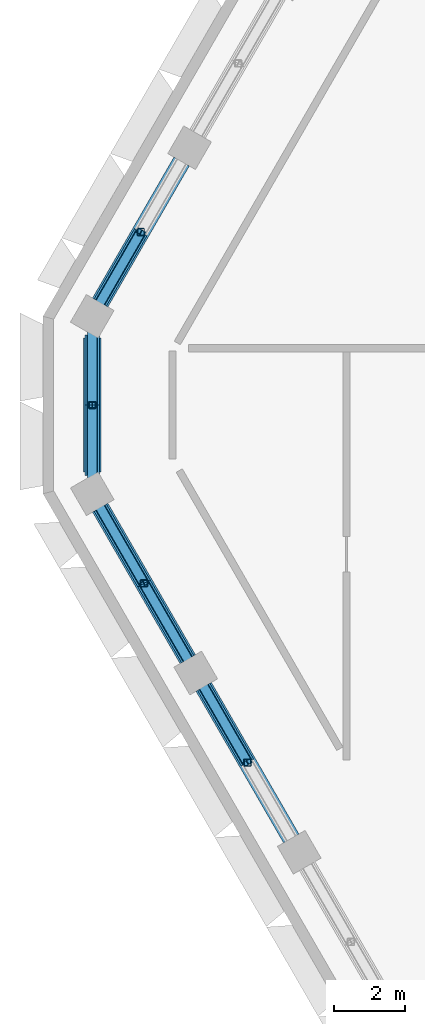
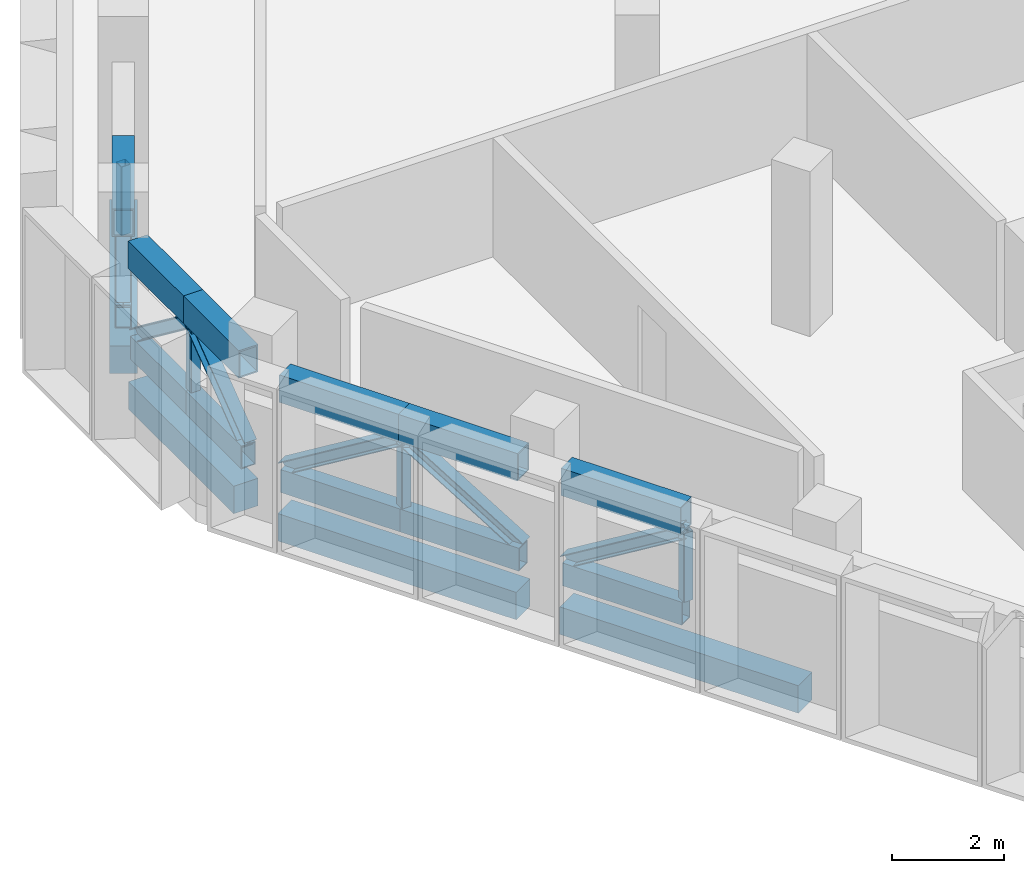
# One storey, part 4 of 22: 22 members, 4 beams.
"""IFC4 building model written with IfcOpenShell, lengths in metres."""

from ifc_helpers import new_model, si_unit, direction, frame, origin, origin_2d, place, context, subcontext, project, spatial, rectangle, hollow_rectangle, i_section, extrude, material, material_profile, profile_set, type_object, element, save


model = new_model("IFC4")

# Units and contexts
model_context = context("Model", 3, precision=1e-05, world=origin(), true_north=direction((0.0, 1.0)))
body_context = subcontext(model_context, "Body", "Model", "MODEL_VIEW")
ifc_project = project(units=[si_unit("LENGTHUNIT", "METRE"), si_unit("AREAUNIT", "SQUARE_METRE"), si_unit("VOLUMEUNIT", "CUBIC_METRE"), si_unit("PLANEANGLEUNIT", "RADIAN"), si_unit("MASSUNIT", "GRAM", prefix="KILO")], contexts=[model_context])

# Site, building, storey
site_placement = place(None, origin())
site = spatial("IfcSite", under=ifc_project, at=site_placement, CompositionType="ELEMENT")
building_placement = place(site_placement, origin())
building = spatial("IfcBuilding", under=site, at=building_placement, Name="Beryl Residences", CompositionType="ELEMENT")
storey_placement = place(building_placement, frame((0.0, 0.0, 153.60009765625)))
storey = spatial("IfcBuildingStorey", under=building, at=storey_placement, Name="L47", CompositionType="ELEMENT", Elevation=153.60009765625)

# Members
ifc_material_1 = material(Name="Steel S355", Category="steel")
ifc_material_profile_1 = material_profile(ifc_material_1, hollow_rectangle(XDim=0.300048828125, YDim=0.5, WallThickness=0.02001953125, at=origin_2d()))
ifc_profile_set_1 = profile_set([ifc_material_profile_1], Name="Steel S355")
member_type_1 = type_object("IfcMemberType", Name="BB3 belt truss bottom chord WB 500x300x20", PredefinedType="CHORD", material=ifc_profile_set_1)
member_1_placement = place(storey_placement, frame((-25.591064453125, 5.27490234375, 0.25), z_axis=(-0.500330826558, -0.865834316712, 0.0), x_axis=(0.865834316712, -0.500330826558, 0.0)))
element("IfcMember", 1, at=member_1_placement, inside=storey, type_object=member_type_1, Name="Belt truss BB3-NW-3b L47", PredefinedType="CHORD", context=body_context, shape_type="SweptSolid", body=[
    extrude(hollow_rectangle(XDim=0.300048828125, YDim=0.5, WallThickness=0.02001953125, at=origin_2d()), origin(), (0.0, 0.0, 1.0), 2.29248046875),
])
for number, where, z_axis, x_axis, name in (
    (2, (-26.962890625, 2.3798828125, 0.25), (0.000493218189, -0.999999878368, 0.0), (0.999999878368, 0.000493218189, 0.0), "Belt truss BB3-NW-4a L47"),
    (3, (-26.9619140625, 0.39990234375, 0.25), (0.0, -1.0, 0.0), (1.0, 0.0, 0.0), "Belt truss BB3-NW-4b L47"),
):
    element("IfcMember", number, at=place(storey_placement, frame(where, z_axis=z_axis, x_axis=x_axis)), inside=storey, type_object=member_type_1, Name=name, PredefinedType="CHORD", context=body_context, shape_type="SweptSolid", body=[
        extrude(hollow_rectangle(XDim=0.300048828125, YDim=0.5, WallThickness=0.02001953125, at=origin_2d()), origin(), (0.0, 0.0, 1.0), 1.97998046875),
    ])
member_2_placement = place(storey_placement, frame((-26.737060546875, -2.489990234375, 0.25), z_axis=(0.49985677305, -0.866108080112, 0.0), x_axis=(0.866108080112, 0.49985677305, 0.0)))
element("IfcMember", 4, at=member_2_placement, inside=storey, type_object=member_type_1, Name="Belt truss BB3-SW-0a L47", PredefinedType="CHORD", context=body_context, shape_type="SweptSolid", body=[
    extrude(hollow_rectangle(XDim=0.300048828125, YDim=0.5, WallThickness=0.02001953125, at=origin_2d()), origin(), (0.0, 0.0, 1.0), 2.465087890625),
])
member_3_placement = place(storey_placement, frame((-25.5048828125, -4.625, 0.25), z_axis=(0.500251191518, -0.865880329714, 0.0), x_axis=(0.865880329714, 0.500251191518, 0.0)))
element("IfcMember", 5, at=member_3_placement, inside=storey, type_object=member_type_1, Name="Belt truss BB3-SW-0b L47", PredefinedType="CHORD", context=body_context, shape_type="SweptSolid", body=[
    extrude(hollow_rectangle(XDim=0.300048828125, YDim=0.5, WallThickness=0.02001953125, at=origin_2d()), origin(), (0.0, 0.0, 1.0), 2.464599609375),
])
member_4_placement = place(storey_placement, frame((-23.822021484375, -7.5390625, 0.25), z_axis=(0.500079606793, -0.865979437902, 0.0), x_axis=(0.865979437902, 0.500079606793, 0.0)))
element("IfcMember", 6, at=member_4_placement, inside=storey, type_object=member_type_1, Name="Belt truss BB3-SW-1a L47", PredefinedType="CHORD", context=body_context, shape_type="SweptSolid", body=[
    extrude(hollow_rectangle(XDim=0.300048828125, YDim=0.5, WallThickness=0.02001953125, at=origin_2d()), origin(), (0.0, 0.0, 1.0), 2.46533203125),
])
ifc_material_2 = material(Name="Steel S355", Category="steel")
ifc_material_profile_2 = material_profile(ifc_material_2, i_section(OverallWidth=0.256103515625, OverallDepth=0.260009765625, WebThickness=0.010498046875, FlangeThickness=0.017333984375, FilletRadius=0.013916015625, at=origin_2d()))
ifc_profile_set_2 = profile_set([ifc_material_profile_2], Name="Steel S355")
member_type_2 = type_object("IfcMemberType", Name="BD3 belt truss diagonal 250UC90", PredefinedType="BRACE", material=ifc_profile_set_2)
member_5_placement = place(storey_placement, frame((-26.738037109375, 3.2900390625, 0.5), z_axis=(0.418669288504, 0.724517095687, 0.547531738733), x_axis=(-0.865834316712, 0.500330826558, 0.0)))
element("IfcMember", 7, at=member_5_placement, inside=storey, type_object=member_type_2, Name="Belt truss BD3-NW-3b L47", PredefinedType="BRACE", context=body_context, shape_type="SweptSolid", body=[
    extrude(i_section(OverallWidth=0.256103515625, OverallDepth=0.260009765625, WebThickness=0.010498046875, FlangeThickness=0.017333984375, FilletRadius=0.013916015625, at=origin_2d()), origin(), (0.0, 0.0, 1.0), 2.739501953125),
])
for number, where, z_axis, x_axis, name in (
    (8, (-26.962890625, 2.3798828125, 0.5), (0.000393138949, -0.79708921943, 0.603861425916), (0.999999878368, 0.000493218189, 0.0), "Belt truss BD3-NW-4a L47"),
    (9, (-26.9619140625, -1.580078125, 0.5), (0.0, 0.797089281029, 0.603861472582), (-1.0, 0.0, 0.0), "Belt truss BD3-NW-4b L47"),
):
    element("IfcMember", number, at=place(storey_placement, frame(where, z_axis=z_axis, x_axis=x_axis)), inside=storey, type_object=member_type_2, Name=name, PredefinedType="BRACE", context=body_context, shape_type="SweptSolid", body=[
        extrude(i_section(OverallWidth=0.256103515625, OverallDepth=0.260009765625, WebThickness=0.010498046875, FlangeThickness=0.017333984375, FilletRadius=0.013916015625, at=origin_2d()), origin(), (0.0, 0.0, 1.0), 2.484130859375),
    ])
member_6_placement = place(storey_placement, frame((-26.737060546875, -2.489990234375, 0.5), z_axis=(0.427013264514, -0.739891222147, 0.51982752074), x_axis=(0.866108080112, 0.49985677305, 0.0)))
element("IfcMember", 10, at=member_6_placement, inside=storey, type_object=member_type_2, Name="Belt truss BD3-SW-0a L47", PredefinedType="BRACE", context=body_context, shape_type="SweptSolid", body=[
    extrude(i_section(OverallWidth=0.256103515625, OverallDepth=0.260009765625, WebThickness=0.010498046875, FlangeThickness=0.017333984375, FilletRadius=0.013916015625, at=origin_2d()), origin(), (0.0, 0.0, 1.0), 2.885498046875),
])
member_7_placement = place(storey_placement, frame((-24.27197265625, -6.759033203125, 0.5), z_axis=(-0.427327739797, 0.739657776943, 0.519901313527), x_axis=(-0.865880329714, -0.500251191518, 0.0)))
element("IfcMember", 11, at=member_7_placement, inside=storey, type_object=member_type_2, Name="Belt truss BD3-SW-0b L47", PredefinedType="BRACE", context=body_context, shape_type="SweptSolid", body=[
    extrude(i_section(OverallWidth=0.256103515625, OverallDepth=0.260009765625, WebThickness=0.010498046875, FlangeThickness=0.017333984375, FilletRadius=0.013916015625, at=origin_2d()), origin(), (0.0, 0.0, 1.0), 2.88525390625),
])
member_8_placement = place(storey_placement, frame((-23.822021484375, -7.5390625, 0.5), z_axis=(0.427220770811, -0.739811017969, 0.519771171458), x_axis=(0.865979437902, 0.500079606793, 0.0)))
element("IfcMember", 12, at=member_8_placement, inside=storey, type_object=member_type_2, Name="Belt truss BD3-SW-1a L47", PredefinedType="BRACE", context=body_context, shape_type="SweptSolid", body=[
    extrude(i_section(OverallWidth=0.256103515625, OverallDepth=0.260009765625, WebThickness=0.010498046875, FlangeThickness=0.017333984375, FilletRadius=0.013916015625, at=origin_2d()), origin(), (0.0, 0.0, 1.0), 2.885986328125),
])
ifc_material_3 = material(Name="Steel S355", Category="steel")
ifc_material_profile_3 = material_profile(ifc_material_3, hollow_rectangle(XDim=0.199951171875, YDim=0.199951171875, WallThickness=0.009033203125, InnerFilletRadius=0.009033203125, OuterFilletRadius=0.01806640625, at=origin_2d()))
ifc_profile_set_3 = profile_set([ifc_material_profile_3], Name="Steel S355")
member_type_3 = type_object("IfcMemberType", Name="BQ3 belt truss post SHS 200x200x9", PredefinedType="POST", material=ifc_profile_set_3)
for number, where, z_axis, x_axis, name in (
    (13, (-25.591064453125, 5.27490234375, 0.5), (0.0, 0.0, 1.0), (1.0, 0.0, 0.0), "Belt truss BQ3-NW-3 L47"),
    (14, (-26.9619140625, 0.39990234375, 0.5), (0.0, 0.0, 1.0), (1.0, 0.0, 0.0), "Belt truss BQ3-NW-4 L47"),
    (15, (-25.5048828125, -4.625, 0.5), (0.0, 0.0, 1.0), (1.0, 0.0, 0.0), "Belt truss BQ3-SW-0 L47"),
    (16, (-22.589111328125, -9.674072265625, 0.5), (0.0, 0.0, 1.0), (1.0, 0.0, 0.0), "Belt truss BQ3-SW-1 L47"),
):
    element("IfcMember", number, at=place(storey_placement, frame(where, z_axis=z_axis, x_axis=x_axis)), inside=storey, type_object=member_type_3, Name=name, PredefinedType="POST", context=body_context, shape_type="SweptSolid", body=[
        extrude(hollow_rectangle(XDim=0.199951171875, YDim=0.199951171875, WallThickness=0.009033203125, InnerFilletRadius=0.009033203125, OuterFilletRadius=0.01806640625, at=origin_2d()), origin(), (0.0, 0.0, 1.0), 1.5),
    ])
ifc_material_4 = material(Name="Steel S355", Category="steel")
ifc_material_profile_4 = material_profile(ifc_material_4, hollow_rectangle(XDim=0.39990234375, YDim=0.60009765625, WallThickness=0.030029296875, at=origin_2d()))
ifc_profile_set_4 = profile_set([ifc_material_profile_4], Name="Steel S355")
member_type_4 = type_object("IfcMemberType", Name="BT3 belt truss top chord WB 600x400x30", PredefinedType="CHORD", material=ifc_profile_set_4)
member_9_placement = place(storey_placement, frame((-25.591064453125, 5.27490234375, 2.2998046875), z_axis=(-0.500330826558, -0.865834316712, 0.0), x_axis=(0.865834316712, -0.500330826558, 0.0)))
element("IfcMember", 17, at=member_9_placement, inside=storey, type_object=member_type_4, Name="Belt truss BT3-NW-3b L47", PredefinedType="CHORD", context=body_context, shape_type="SweptSolid", body=[
    extrude(hollow_rectangle(XDim=0.39990234375, YDim=0.60009765625, WallThickness=0.030029296875, at=origin_2d()), origin(), (0.0, 0.0, 1.0), 2.29248046875),
])
for number, where, z_axis, x_axis, name in (
    (18, (-26.962890625, 2.3798828125, 2.2998046875), (0.000493218189, -0.999999878368, 0.0), (0.999999878368, 0.000493218189, 0.0), "Belt truss BT3-NW-4a L47"),
    (19, (-26.9619140625, 0.39990234375, 2.2998046875), (0.0, -1.0, 0.0), (1.0, 0.0, 0.0), "Belt truss BT3-NW-4b L47"),
):
    element("IfcMember", number, at=place(storey_placement, frame(where, z_axis=z_axis, x_axis=x_axis)), inside=storey, type_object=member_type_4, Name=name, PredefinedType="CHORD", context=body_context, shape_type="SweptSolid", body=[
        extrude(hollow_rectangle(XDim=0.39990234375, YDim=0.60009765625, WallThickness=0.030029296875, at=origin_2d()), origin(), (0.0, 0.0, 1.0), 1.97998046875),
    ])
member_10_placement = place(storey_placement, frame((-26.737060546875, -2.489990234375, 2.2998046875), z_axis=(0.49985677305, -0.866108080112, 0.0), x_axis=(0.866108080112, 0.49985677305, 0.0)))
element("IfcMember", 20, at=member_10_placement, inside=storey, type_object=member_type_4, Name="Belt truss BT3-SW-0a L47", PredefinedType="CHORD", context=body_context, shape_type="SweptSolid", body=[
    extrude(hollow_rectangle(XDim=0.39990234375, YDim=0.60009765625, WallThickness=0.030029296875, at=origin_2d()), origin(), (0.0, 0.0, 1.0), 2.465087890625),
])
member_11_placement = place(storey_placement, frame((-25.5048828125, -4.625, 2.2998046875), z_axis=(0.500251191518, -0.865880329714, 0.0), x_axis=(0.865880329714, 0.500251191518, 0.0)))
element("IfcMember", 21, at=member_11_placement, inside=storey, type_object=member_type_4, Name="Belt truss BT3-SW-0b L47", PredefinedType="CHORD", context=body_context, shape_type="SweptSolid", body=[
    extrude(hollow_rectangle(XDim=0.39990234375, YDim=0.60009765625, WallThickness=0.030029296875, at=origin_2d()), origin(), (0.0, 0.0, 1.0), 2.464599609375),
])
member_12_placement = place(storey_placement, frame((-23.822021484375, -7.5390625, 2.2998046875), z_axis=(0.500079606793, -0.865979437902, 0.0), x_axis=(0.865979437902, 0.500079606793, 0.0)))
element("IfcMember", 22, at=member_12_placement, inside=storey, type_object=member_type_4, Name="Belt truss BT3-SW-1a L47", PredefinedType="CHORD", context=body_context, shape_type="SweptSolid", body=[
    extrude(hollow_rectangle(XDim=0.39990234375, YDim=0.60009765625, WallThickness=0.030029296875, at=origin_2d()), origin(), (0.0, 0.0, 1.0), 2.46533203125),
])

# Beams
ifc_material_5 = material(Name="Concrete C60/75", Category="concrete")
ifc_material_profile_5 = material_profile(ifc_material_5, rectangle(XDim=0.5, YDim=0.60009765625, at=origin_2d()))
ifc_profile_set_5 = profile_set([ifc_material_profile_5], Name="Concrete C60/75")
beam_type = type_object("IfcBeamType", Name="SB3 spandrel beam 500 x 600 C60/75", PredefinedType="SPANDREL", material=ifc_profile_set_5)
beam_1_placement = place(storey_placement, frame((-24.445068359375, 7.260009765625, -0.7001953125), z_axis=(-0.500148059018, -0.865939904993, 0.0), x_axis=(0.865939904993, -0.500148059018, 0.0)))
element("IfcBeam", 23, at=beam_1_placement, inside=storey, type_object=beam_type, Name="SB3 L47 NW-3", PredefinedType="SPANDREL", context=body_context, shape_type="SweptSolid", body=[
    extrude(rectangle(XDim=0.5, YDim=0.60009765625, at=origin_2d()), origin(), (0.0, 0.0, 1.0), 4.58447265625),
])
beam_2_placement = place(storey_placement, frame((-26.962890625, 2.285888671875, -0.7001953125), z_axis=(0.000258899668, -0.999999966485, 0.0), x_axis=(0.999999966485, 0.000258899668, 0.0)))
element("IfcBeam", 24, at=beam_2_placement, inside=storey, type_object=beam_type, Name="SB3 L47 NW-4", PredefinedType="SPANDREL", context=body_context, shape_type="SweptSolid", body=[
    extrude(rectangle(XDim=0.5, YDim=0.60009765625, at=origin_2d()), origin(), (0.0, 0.0, 1.0), 3.77197265625),
])
beam_3_placement = place(storey_placement, frame((-26.737060546875, -2.489990234375, -0.7001953125), z_axis=(0.50005397607, -0.865994238443, 0.0), x_axis=(0.865994238443, 0.50005397607, 0.0)))
element("IfcBeam", 25, at=beam_3_placement, inside=storey, type_object=beam_type, Name="SB3 L47 SW-0", PredefinedType="SPANDREL", context=body_context, shape_type="SweptSolid", body=[
    extrude(rectangle(XDim=0.5, YDim=0.60009765625, at=origin_2d()), origin(), (0.0, 0.0, 1.0), 4.9296875),
])
beam_4_placement = place(storey_placement, frame((-23.822021484375, -7.5390625, -0.7001953125), z_axis=(0.500116736097, -0.865957995677, 0.0), x_axis=(0.865957995677, 0.500116736097, 0.0)))
element("IfcBeam", 26, at=beam_4_placement, inside=storey, type_object=beam_type, Name="SB3 L47 SW-1", PredefinedType="SPANDREL", context=body_context, shape_type="SweptSolid", body=[
    extrude(rectangle(XDim=0.5, YDim=0.60009765625, at=origin_2d()), origin(), (0.0, 0.0, 1.0), 4.930908203125),
])

save(model, "model.ifc")
